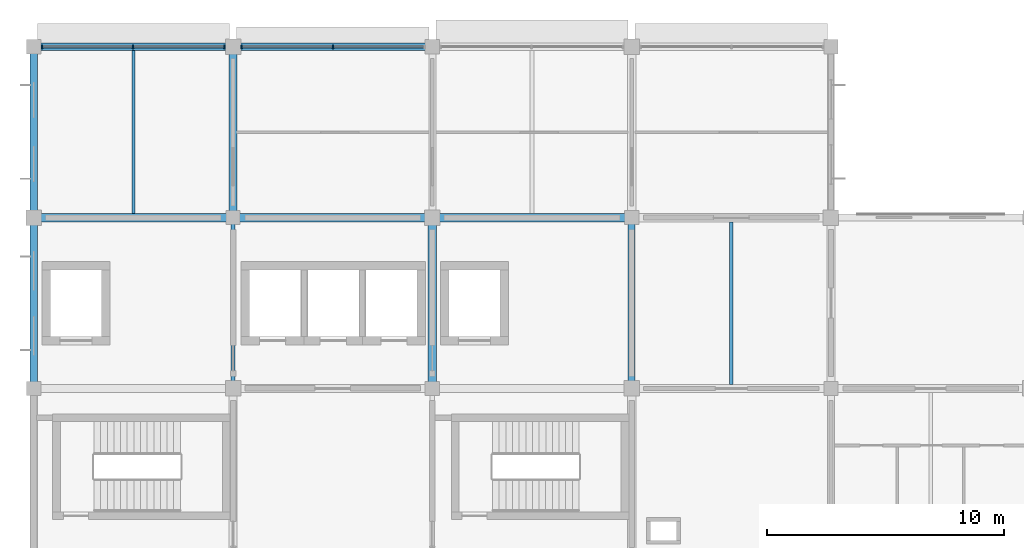
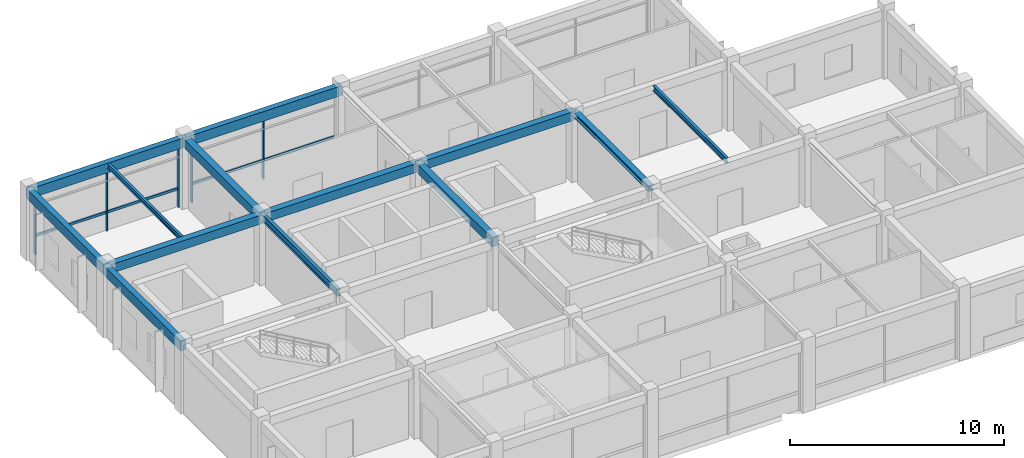
# One storey, part 4 of 13: 13 beams, 9 members, 2 elements without a shape of their own.
"""IFC4 building model written with IfcOpenShell, lengths in metres."""

from ifc_helpers import new_model, si_unit, derived_unit, direction, frame, origin, origin_2d, place, context, subcontext, project, spatial, rectangle, i_section, extrude, material, material_profile, profile_set, type_object, element, aggregate, save


model = new_model("IFC4")

# Units and contexts
model_context = context("Model", 3, precision=1e-05, world=origin(), true_north=direction((0.0, 1.0)))
body_context = subcontext(model_context, "Body", "Model", "MODEL_VIEW")
ifc_project = project(units=[si_unit("LENGTHUNIT", "METRE"), si_unit("AREAUNIT", "SQUARE_METRE"), si_unit("VOLUMEUNIT", "CUBIC_METRE"), si_unit("PLANEANGLEUNIT", "RADIAN"), si_unit("MASSUNIT", "GRAM", prefix="KILO"), derived_unit("THERMALTRANSMITTANCEUNIT", [(si_unit("MASSUNIT", "GRAM", prefix="KILO"), 1), (si_unit("TIMEUNIT", "SECOND"), -3), (si_unit("THERMODYNAMICTEMPERATUREUNIT", "KELVIN"), -1)])], contexts=[model_context])

# Site, building, storey
site_placement = place(None, origin())
site = spatial("IfcSite", under=ifc_project, at=site_placement, CompositionType="ELEMENT")
building_placement = place(site_placement, origin())
building = spatial("IfcBuilding", under=site, at=building_placement, Name="Veldstrom Oceanarium and Marine Research Institute", CompositionType="ELEMENT")
storey_placement = place(building_placement, frame((0.0, 0.0, 56.39990234375)))
storey = spatial("IfcBuildingStorey", under=building, at=storey_placement, Name="L12", CompositionType="ELEMENT", Elevation=56.39990234375)

# Curtain wall, members
ifc_material_1 = material(Name="Anodised Aluminium Framing", Category="aluminium")
curtain_wall_type = type_object("IfcCurtainWallType", Name="ARC-CW-CW04", PredefinedType="USERDEFINED", material=ifc_material_1)
curtain_wall_1_placement = place(storey_placement, origin())
curtain_wall_1 = element("IfcCurtainWall", 1, at=curtain_wall_1_placement, inside=storey, type_object=curtain_wall_type, Name="Curtain Wall CW04 CW-L12-160", ObjectType="Curtain wall", PredefinedType="USERDEFINED")
ifc_material_2 = material(Name="Anodised Aluminium Framing", Category="aluminium")
ifc_material_profile_1 = material_profile(ifc_material_2, rectangle(XDim=0.06494140625, YDim=0.14990234375, at=origin_2d()), Name="ALU-MUL-65x150")
ifc_profile_set_1 = profile_set([ifc_material_profile_1], Name="Anodised Aluminium Framing")
member_type_1 = type_object("IfcMemberType", Name="ARC-MUL-ML2", PredefinedType="MULLION", material=ifc_profile_set_1)
member_1_placement = place(storey_placement, frame((75.93994140625, 72.0, 0.0), z_axis=(0.0, 0.0, 1.0), x_axis=(1.0, 0.0, 0.0)))
member_1 = element("IfcMember", 2, at=member_1_placement, type_object=member_type_1, Name="Curtain Wall Mullion CW-L12-160-MUL-1", PredefinedType="MULLION", context=body_context, shape_type="SweptSolid", body=[
    extrude(rectangle(XDim=0.06494140625, YDim=0.14990234375, at=origin_2d()), origin(), (0.0, 0.0, 1.0), 3.85009765625),
])
member_2_placement = place(storey_placement, frame((79.78759765625, 72.0, 0.0), z_axis=(0.0, 0.0, 1.0), x_axis=(1.0, 0.0, 0.0)))
member_2 = element("IfcMember", 3, at=member_2_placement, type_object=member_type_1, Name="Curtain Wall Mullion CW-L12-160-MUL-2", PredefinedType="MULLION", context=body_context, shape_type="SweptSolid", body=[
    extrude(rectangle(XDim=0.06494140625, YDim=0.14990234375, at=origin_2d()), origin(), (0.0, 0.0, 1.0), 3.85009765625),
])
member_3_placement = place(storey_placement, frame((83.635009765625, 72.0, 0.0), z_axis=(0.0, 0.0, 1.0), x_axis=(1.0, 0.0, 0.0)))
member_3 = element("IfcMember", 4, at=member_3_placement, type_object=member_type_1, Name="Curtain Wall Mullion CW-L12-160-MUL-3", PredefinedType="MULLION", context=body_context, shape_type="SweptSolid", body=[
    extrude(rectangle(XDim=0.06494140625, YDim=0.14990234375, at=origin_2d()), origin(), (0.0, 0.0, 1.0), 3.85009765625),
])

curtain_wall_2_placement = place(storey_placement, origin())
curtain_wall_2 = element("IfcCurtainWall", 5, at=curtain_wall_2_placement, inside=storey, type_object=curtain_wall_type, Name="Curtain Wall CW04 CW-L12-162", ObjectType="Curtain wall", PredefinedType="USERDEFINED")
member_4_placement = place(storey_placement, frame((84.364990234375, 72.0, 0.0), z_axis=(0.0, 0.0, 1.0), x_axis=(1.0, 0.0, 0.0)))
member_4 = element("IfcMember", 6, at=member_4_placement, type_object=member_type_1, Name="Curtain Wall Mullion CW-L12-162-MUL-1", PredefinedType="MULLION", context=body_context, shape_type="SweptSolid", body=[
    extrude(rectangle(XDim=0.06494140625, YDim=0.14990234375, at=origin_2d()), origin(), (0.0, 0.0, 1.0), 3.85009765625),
])
member_5_placement = place(storey_placement, frame((88.21240234375, 72.0, 0.0), z_axis=(0.0, 0.0, 1.0), x_axis=(1.0, 0.0, 0.0)))
member_5 = element("IfcMember", 7, at=member_5_placement, type_object=member_type_1, Name="Curtain Wall Mullion CW-L12-162-MUL-2", PredefinedType="MULLION", context=body_context, shape_type="SweptSolid", body=[
    extrude(rectangle(XDim=0.06494140625, YDim=0.14990234375, at=origin_2d()), origin(), (0.0, 0.0, 1.0), 3.85009765625),
])

# Member
ifc_material_3 = material(Name="Anodised Aluminium Framing", Category="aluminium")
ifc_material_profile_2 = material_profile(ifc_material_3, rectangle(XDim=0.074951171875, YDim=0.14990234375, at=origin_2d()), Name="ALU-TRN-75x150")
ifc_profile_set_2 = profile_set([ifc_material_profile_2], Name="Anodised Aluminium Framing")
member_type_2 = type_object("IfcMemberType", Name="ARC-TRN-TR1", PredefinedType="USERDEFINED", material=ifc_profile_set_2)
member_6_placement = place(storey_placement, frame((75.97998046875, 72.0, 1.050048828125), z_axis=(1.0, 0.0, 0.0), x_axis=(0.0, 1.0, 0.0)))
member_6 = element("IfcMember", 8, at=member_6_placement, type_object=member_type_2, Name="Curtain Wall Transom CW-L12-160-TRN-1", ObjectType="Transom", PredefinedType="USERDEFINED", context=body_context, shape_type="SweptSolid", body=[
    extrude(rectangle(XDim=0.074951171875, YDim=0.14990234375, at=origin_2d()), origin(), (0.0, 0.0, 1.0), 3.767578125),
])

member_7_placement = place(storey_placement, frame((79.827392578125, 72.0, 1.050048828125), z_axis=(1.0, 0.0, 0.0), x_axis=(0.0, 1.0, 0.0)))
member_7 = element("IfcMember", 9, at=member_7_placement, type_object=member_type_2, Name="Curtain Wall Transom CW-L12-160-TRN-2", ObjectType="Transom", PredefinedType="USERDEFINED", context=body_context, shape_type="SweptSolid", body=[
    extrude(rectangle(XDim=0.074951171875, YDim=0.14990234375, at=origin_2d()), origin(), (0.0, 0.0, 1.0), 3.767578125),
])

aggregate(curtain_wall_1, [member_1, member_2, member_3, member_6, member_7])

member_8_placement = place(storey_placement, frame((84.405029296875, 72.0, 1.050048828125), z_axis=(1.0, 0.0, 0.0), x_axis=(0.0, 1.0, 0.0)))
member_8 = element("IfcMember", 10, at=member_8_placement, type_object=member_type_2, Name="Curtain Wall Transom CW-L12-162-TRN-1", ObjectType="Transom", PredefinedType="USERDEFINED", context=body_context, shape_type="SweptSolid", body=[
    extrude(rectangle(XDim=0.074951171875, YDim=0.14990234375, at=origin_2d()), origin(), (0.0, 0.0, 1.0), 3.767578125),
])

member_9_placement = place(storey_placement, frame((88.25244140625, 72.0, 1.050048828125), z_axis=(1.0, 0.0, 0.0), x_axis=(0.0, 1.0, 0.0)))
member_9 = element("IfcMember", 11, at=member_9_placement, type_object=member_type_2, Name="Curtain Wall Transom CW-L12-162-TRN-2", ObjectType="Transom", PredefinedType="USERDEFINED", context=body_context, shape_type="SweptSolid", body=[
    extrude(rectangle(XDim=0.074951171875, YDim=0.14990234375, at=origin_2d()), origin(), (0.0, 0.0, 1.0), 3.767578125),
])

aggregate(curtain_wall_2, [member_4, member_5, member_8, member_9])

# Beams
ifc_material_4 = material(Name="Concrete C40/50", Category="concrete")
ifc_material_profile_3 = material_profile(ifc_material_4, rectangle(XDim=0.35009765625, YDim=0.5, at=origin_2d()), Name="RC-BM-350x500")
ifc_profile_set_3 = profile_set([ifc_material_profile_3], Name="Concrete C40/50")
beam_type_1 = type_object("IfcBeamType", Name="STR-BM-B08", PredefinedType="BEAM", material=ifc_profile_set_3)
for number, where, z_axis, x_axis, name in (
    (12, (75.60009765625, 64.800048828125, 3.6650390625), (1.0, 0.0, 0.0), (0.0, 1.0, 0.0), "Primary Beam B08 L12-2671"),
    (13, (84.0, 64.800048828125, 3.6650390625), (1.0, 0.0, 0.0), (0.0, 1.0, 0.0), "Primary Beam B08 L12-2676"),
):
    element("IfcBeam", number, at=place(storey_placement, frame(where, z_axis=z_axis, x_axis=x_axis)), inside=storey, type_object=beam_type_1, Name=name, PredefinedType="BEAM", context=body_context, shape_type="SweptSolid", body=[
        extrude(rectangle(XDim=0.35009765625, YDim=0.5, at=origin_2d()), origin(), (0.0, 0.0, 1.0), 8.39990234375),
    ])
beam_1_placement = place(storey_placement, frame((92.39990234375, 64.800048828125, 3.6650390625), z_axis=(1.0, 0.0, 0.0), x_axis=(0.0, 1.0, 0.0)))
element("IfcBeam", 14, at=beam_1_placement, inside=storey, type_object=beam_type_1, Name="Primary Beam B08 L12-2681", PredefinedType="BEAM", context=body_context, shape_type="SweptSolid", body=[
    extrude(rectangle(XDim=0.35009765625, YDim=0.5, at=origin_2d()), origin(), (0.0, 0.0, 1.0), 8.400146484375),
])
for number, where, z_axis, x_axis, name in (
    (15, (84.0, 64.800048828125, 3.6650390625), (0.0, 1.0, 0.0), (-1.0, 0.0, 0.0), "Primary Beam B08 L12-2699"),
    (16, (92.39990234375, 57.60009765625, 3.6650390625), (0.0, 1.0, 0.0), (-1.0, 0.0, 0.0), "Primary Beam B08 L12-2702"),
):
    element("IfcBeam", number, at=place(storey_placement, frame(where, z_axis=z_axis, x_axis=x_axis)), inside=storey, type_object=beam_type_1, Name=name, PredefinedType="BEAM", context=body_context, shape_type="SweptSolid", body=[
        extrude(rectangle(XDim=0.35009765625, YDim=0.5, at=origin_2d()), origin(), (0.0, 0.0, 1.0), 7.199951171875),
    ])
ifc_material_5 = material(Name="Steel S355JR", Category="steel")
ifc_material_profile_4 = material_profile(ifc_material_5, i_section(OverallWidth=0.300048828125, OverallDepth=0.2900390625, WebThickness=0.008544921875, FlangeThickness=0.013916015625, FilletRadius=0.027099609375, at=origin_2d()), Name="HEA 300")
ifc_profile_set_4 = profile_set([ifc_material_profile_4], Name="Steel S355JR")
beam_type_2 = type_object("IfcBeamType", Name="STR-BM-SB10", PredefinedType="BEAM", material=ifc_profile_set_4)
beam_2_placement = place(storey_placement, frame((100.800048828125, 57.60009765625, 3.77001953125), z_axis=(0.0, 1.0, 0.0), x_axis=(-1.0, 0.0, 0.0)))
element("IfcBeam", 17, at=beam_2_placement, inside=storey, type_object=beam_type_2, Name="Steel Tie Beam SB10 L12-2706", PredefinedType="BEAM", context=body_context, shape_type="SweptSolid", body=[
    extrude(i_section(OverallWidth=0.300048828125, OverallDepth=0.2900390625, WebThickness=0.008544921875, FlangeThickness=0.013916015625, FilletRadius=0.027099609375, at=origin_2d()), origin(), (0.0, 0.0, 1.0), 7.199951171875),
])
ifc_material_6 = material(Name="Steel S355JR", Category="steel")
ifc_material_profile_5 = material_profile(ifc_material_6, i_section(OverallWidth=0.179931640625, OverallDepth=0.39990234375, WebThickness=0.008544921875, FlangeThickness=0.013427734375, FilletRadius=0.02099609375, at=origin_2d()), Name="IPE 400")
ifc_profile_set_5 = profile_set([ifc_material_profile_5], Name="Steel S355JR")
beam_type_3 = type_object("IfcBeamType", Name="STR-BM-SB8", PredefinedType="BEAM", material=ifc_profile_set_5)
beam_3_placement = place(storey_placement, frame((84.0, 57.60009765625, 3.715087890625), z_axis=(0.0, 1.0, 0.0), x_axis=(-1.0, 0.0, 0.0)))
element("IfcBeam", 18, at=beam_3_placement, inside=storey, type_object=beam_type_3, Name="Steel Tie Beam SB8 L12-2698", PredefinedType="BEAM", context=body_context, shape_type="SweptSolid", body=[
    extrude(i_section(OverallWidth=0.179931640625, OverallDepth=0.39990234375, WebThickness=0.008544921875, FlangeThickness=0.013427734375, FilletRadius=0.02099609375, at=origin_2d()), origin(), (0.0, 0.0, 1.0), 7.199951171875),
])
ifc_material_7 = material(Name="Steel S355JR", Category="steel")
ifc_material_profile_6 = material_profile(ifc_material_7, i_section(OverallWidth=0.14990234375, OverallDepth=0.300048828125, WebThickness=0.007080078125, FlangeThickness=0.0107421875, FilletRadius=0.014892578125, at=origin_2d()), Name="IPE 300")
ifc_profile_set_6 = profile_set([ifc_material_profile_6], Name="Steel S355JR")
beam_type_4 = type_object("IfcBeamType", Name="STR-JST-SJ2", PredefinedType="JOIST", material=ifc_profile_set_6)
beam_4_placement = place(storey_placement, frame((105.0, 57.77490234375, 3.76513671875), z_axis=(0.0, 1.0, 0.0), x_axis=(-1.0, 0.0, 0.0)))
element("IfcBeam", 19, at=beam_4_placement, inside=storey, type_object=beam_type_4, Name="Secondary Joist SJ2 L12-2719", PredefinedType="JOIST", context=body_context, shape_type="SweptSolid", body=[
    extrude(i_section(OverallWidth=0.14990234375, OverallDepth=0.300048828125, WebThickness=0.007080078125, FlangeThickness=0.0107421875, FilletRadius=0.014892578125, at=origin_2d()), origin(), (0.0, 0.0, 1.0), 6.85009765625),
])
ifc_material_8 = material(Name="Steel S355JR", Category="steel")
ifc_material_profile_7 = material_profile(ifc_material_8, i_section(OverallWidth=0.135009765625, OverallDepth=0.27001953125, WebThickness=0.006591796875, FlangeThickness=0.01025390625, FilletRadius=0.014892578125, at=origin_2d()), Name="IPE 270")
ifc_profile_set_7 = profile_set([ifc_material_profile_7], Name="Steel S355JR")
beam_type_5 = type_object("IfcBeamType", Name="STR-JST-SJ3", PredefinedType="JOIST", material=ifc_profile_set_7)
beam_5_placement = place(storey_placement, frame((79.800048828125, 64.97509765625, 3.780029296875), z_axis=(0.0, 1.0, 0.0), x_axis=(-1.0, 0.0, 0.0)))
element("IfcBeam", 20, at=beam_5_placement, inside=storey, type_object=beam_type_5, Name="Secondary Joist SJ3 L12-2715", PredefinedType="JOIST", context=body_context, shape_type="SweptSolid", body=[
    extrude(i_section(OverallWidth=0.135009765625, OverallDepth=0.27001953125, WebThickness=0.006591796875, FlangeThickness=0.01025390625, FilletRadius=0.014892578125, at=origin_2d()), origin(), (0.0, 0.0, 1.0), 6.875),
])
ifc_material_9 = material(Name="Concrete C40/50", Category="concrete")
ifc_material_profile_8 = material_profile(ifc_material_9, rectangle(XDim=0.300048828125, YDim=0.550048828125, at=origin_2d()), Name="RC-SPN-300x550")
ifc_profile_set_8 = profile_set([ifc_material_profile_8], Name="Concrete C40/50")
beam_type_6 = type_object("IfcBeamType", Name="STR-SPN-SP2", PredefinedType="SPANDREL", material=ifc_profile_set_8)
for number, where, z_axis, x_axis, name in (
    (21, (75.60009765625, 72.0, 3.64013671875), (1.0, 0.0, 0.0), (0.0, 1.0, 0.0), "Perimeter Spandrel SPB2 L12-2672"),
    (22, (84.0, 72.0, 3.64013671875), (1.0, 0.0, 0.0), (0.0, 1.0, 0.0), "Perimeter Spandrel SPB2 L12-2677"),
):
    element("IfcBeam", number, at=place(storey_placement, frame(where, z_axis=z_axis, x_axis=x_axis)), inside=storey, type_object=beam_type_6, Name=name, PredefinedType="SPANDREL", context=body_context, shape_type="SweptSolid", body=[
        extrude(rectangle(XDim=0.300048828125, YDim=0.550048828125, at=origin_2d()), origin(), (0.0, 0.0, 1.0), 8.39990234375),
    ])
for number, where, z_axis, x_axis, name in (
    (23, (75.60009765625, 57.60009765625, 3.64013671875), (0.0, 1.0, 0.0), (-1.0, 0.0, 0.0), "Perimeter Spandrel SPB2 L12-2694"),
    (24, (75.60009765625, 64.800048828125, 3.64013671875), (0.0, 1.0, 0.0), (-1.0, 0.0, 0.0), "Perimeter Spandrel SPB2 L12-2695"),
):
    element("IfcBeam", number, at=place(storey_placement, frame(where, z_axis=z_axis, x_axis=x_axis)), inside=storey, type_object=beam_type_6, Name=name, PredefinedType="SPANDREL", context=body_context, shape_type="SweptSolid", body=[
        extrude(rectangle(XDim=0.300048828125, YDim=0.550048828125, at=origin_2d()), origin(), (0.0, 0.0, 1.0), 7.199951171875),
    ])

save(model, "model.ifc")
